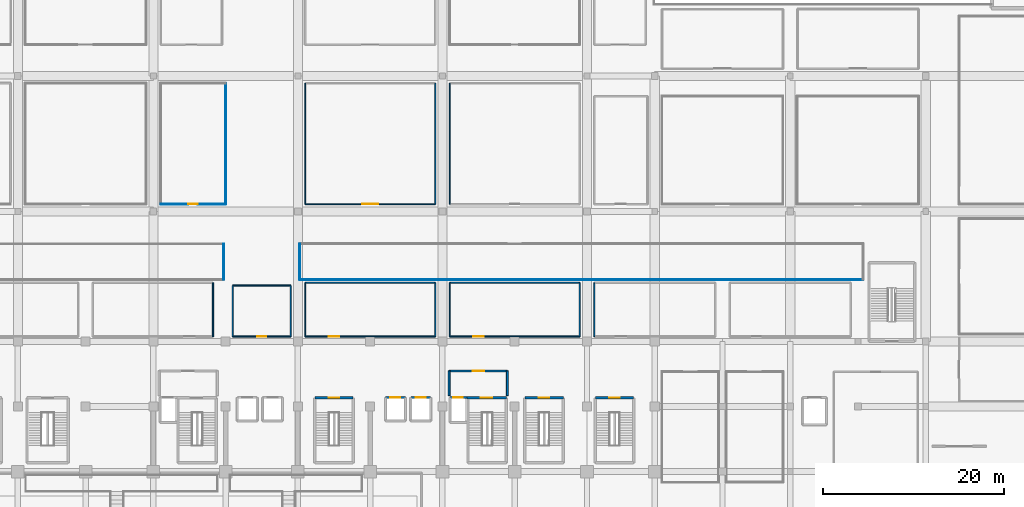
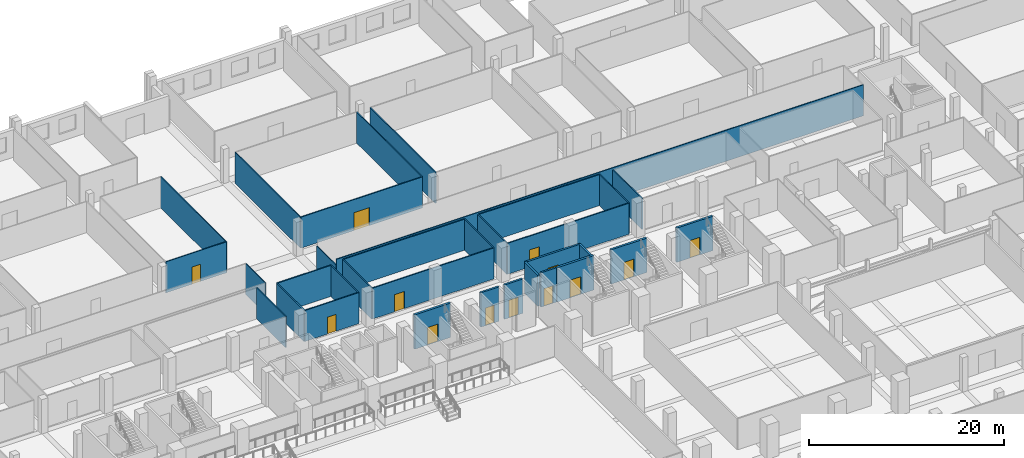
# One storey, part 19 of 33: 33 walls, 13 doors, 13 openings.
"""IFC4 building model written with IfcOpenShell, lengths in metres."""

from ifc_helpers import new_model, si_unit, direction, frame, frame_2d, origin, place, context, subcontext, project, spatial, rectangle, extrude, material, layer, layer_set, type_object, element, fill, save


model = new_model("IFC4")

# Units and contexts
model_context = context("Model", 3, precision=1e-05, world=origin(), true_north=direction((0.0, 1.0)))
body_context = subcontext(model_context, "Body", "Model", "MODEL_VIEW")
ifc_project = project(units=[si_unit("LENGTHUNIT", "METRE"), si_unit("AREAUNIT", "SQUARE_METRE"), si_unit("VOLUMEUNIT", "CUBIC_METRE"), si_unit("PLANEANGLEUNIT", "RADIAN"), si_unit("MASSUNIT", "GRAM", prefix="KILO")], contexts=[model_context])

# Site, building, storey
site_placement = place(None, origin())
site = spatial("IfcSite", under=ifc_project, at=site_placement, CompositionType="ELEMENT")
building_placement = place(site_placement, origin())
building = spatial("IfcBuilding", under=site, at=building_placement, Name="Akrevak Sports Hall", CompositionType="ELEMENT")
storey_placement = place(building_placement, origin())
storey = spatial("IfcBuildingStorey", under=building, at=storey_placement, Name="L00", CompositionType="ELEMENT", Elevation=0.0)

# Wall
ifc_material_1 = material(Name="Sanitary Cubicle Partition", Category="gypsum")
ifc_layer_1 = layer(ifc_material_1, 0.10009765625, Name="Sanitary Cubicle Partition")
ifc_layer_set_1 = layer_set([ifc_layer_1], Name="Sanitary Cubicle Partition")
wall_type_1 = type_object("IfcWallType", Name="ARC-WL-PRT-100", PredefinedType="PARTITIONING", material=ifc_layer_set_1)
wall_1_placement = place(storey_placement, frame((67.800048828125, 76.449951171875, 0.0), z_axis=(0.0, 0.0, 1.0), x_axis=(0.0, 1.0, 0.0)))
element("IfcWall", 1, at=wall_1_placement, inside=storey, type_object=wall_type_1, Name="Interior Partition North Athletes Gear & Kit Storage L00-1 (E)", PredefinedType="PARTITIONING", context=body_context, shape_type="SweptSolid", body=[
    extrude(rectangle(XDim=3.949951171875, YDim=0.10009765625, at=frame_2d((1.97509765625, 0.0))), origin(), (0.0, 0.0, 1.0), 3.8798828125),
])

# Wall, opening, door
ifc_material_2 = material(Name="Lightweight Office Partition", Category="gypsum")
ifc_layer_2 = layer(ifc_material_2, 0.110107421875, Name="Lightweight Office Partition")
ifc_layer_set_2 = layer_set([ifc_layer_2], Name="Lightweight Office Partition")
wall_type_2 = type_object("IfcWallType", Name="ARC-WL-PRT-110", PredefinedType="PARTITIONING", material=ifc_layer_set_2)
wall_2_placement = place(storey_placement, frame((60.800048828125, 84.800048828125, 0.0), z_axis=(0.0, 0.0, 1.0), x_axis=(1.0, 0.0, 0.0)))
wall_2 = element("IfcWall", 2, at=wall_2_placement, inside=storey, type_object=wall_type_2, Name="Interior Partition Sports Clinic Recovery & Physiotherapy Room L00-6 (S)", PredefinedType="PARTITIONING", context=body_context, shape_type="SweptSolid", body=[
    extrude(rectangle(XDim=7.199951171875, YDim=0.110107421875, at=frame_2d((3.60009765625, 0.0))), origin(), (0.0, 0.0, 1.0), 3.8798828125),
])
opening_1_placement = place(wall_2_placement, frame((3.074951171875, 0.0, 0.0)))
opening_1 = element("IfcOpeningElement", 3, at=opening_1_placement, cuts=wall_2, Name="Opening ID-05", PredefinedType="OPENING", context=body_context, shape_type="SweptSolid", body=[
    extrude(rectangle(XDim=1.050048828125, YDim=2.14990234375, at=frame_2d((0.52490234375, 1.074951171875))), frame((0.0, 0.06689453125, 0.0), z_axis=(0.0, -1.0, 0.0), x_axis=(1.0, 0.0, 0.0)), (0.0, 0.0, 1.0), 0.134033203125),
])
ifc_material_3 = material(Name="Hardwood Oak Acoustic Leaf", Category="wood")
door_type_1 = type_object("IfcDoorType", Name="ARC-DR-OFF-105x215", OperationType="NOTDEFINED", PredefinedType="DOOR", material=ifc_material_3)
door_1_placement = place(opening_1_placement, origin())
door_1 = element("IfcDoor", 4, at=door_1_placement, inside=storey, type_object=door_type_1, Name="Door to Sports Clinic Recovery & Physiotherapy Room L00-6", OperationType="SINGLE_SWING_LEFT", OverallHeight=2.14990234375, OverallWidth=1.050048828125, PredefinedType="DOOR", context=body_context, shape_type="SweptSolid", body=[
    extrude(rectangle(XDim=1.050048828125, YDim=2.14990234375, at=frame_2d((0.52490234375, 1.074951171875))), frame((0.0, 0.02490234375, 0.0), z_axis=(0.0, -1.0, 0.0), x_axis=(1.0, 0.0, 0.0)), (0.0, 0.0, 1.0), 0.050048828125),
])
fill(opening_1, door_1)

# Walls
wall_3_placement = place(storey_placement, frame((68.0, 84.800048828125, 0.0), z_axis=(0.0, 0.0, 1.0), x_axis=(0.0, 1.0, 0.0)))
element("IfcWall", 5, at=wall_3_placement, inside=storey, type_object=wall_type_2, Name="Interior Partition Sports Clinic Recovery & Physiotherapy Room L00-6 (E)", PredefinedType="PARTITIONING", context=body_context, shape_type="SweptSolid", body=[
    extrude(rectangle(XDim=13.39990234375, YDim=0.110107421875, at=frame_2d((6.699951171875, 0.0))), origin(), (0.0, 0.0, 1.0), 3.8798828125),
])
wall_4_placement = place(storey_placement, frame((76.199951171875, 76.449951171875, 0.0), z_axis=(0.0, 0.0, 1.0), x_axis=(1.0, 0.0, 0.0)))
element("IfcWall", 6, at=wall_4_placement, inside=storey, type_object=wall_type_2, Name="Interior Partition North Athletes Gear & Kit Storage L00-2 (S)", PredefinedType="PARTITIONING", context=body_context, shape_type="SweptSolid", body=[
    extrude(rectangle(XDim=62.400146484375, YDim=0.110107421875, at=frame_2d((31.2001953125, 0.0))), origin(), (0.0, 0.0, 1.0), 3.8798828125),
])
wall_5_placement = place(storey_placement, frame((76.199951171875, 76.449951171875, 0.0), z_axis=(0.0, 0.0, 1.0), x_axis=(0.0, 1.0, 0.0)))
element("IfcWall", 7, at=wall_5_placement, inside=storey, type_object=wall_type_2, Name="Interior Partition North Athletes Gear & Kit Storage L00-2 (W)", PredefinedType="PARTITIONING", context=body_context, shape_type="SweptSolid", body=[
    extrude(rectangle(XDim=3.949951171875, YDim=0.110107421875, at=frame_2d((1.97509765625, 0.0))), origin(), (0.0, 0.0, 1.0), 3.14990234375),
])

# Wall, opening, door
ifc_material_4 = material(Name="Standard Metal Stud Partition", Category="gypsum")
ifc_layer_3 = layer(ifc_material_4, 0.1201171875, Name="Standard Metal Stud Partition")
ifc_layer_set_3 = layer_set([ifc_layer_3], Name="Standard Metal Stud Partition")
wall_type_3 = type_object("IfcWallType", Name="ARC-WL-PRT-120", PredefinedType="PARTITIONING", material=ifc_layer_set_3)
wall_6_placement = place(storey_placement, frame((76.800048828125, 84.800048828125, 0.0), z_axis=(0.0, 0.0, 1.0), x_axis=(1.0, 0.0, 0.0)))
wall_6 = element("IfcWall", 8, at=wall_6_placement, inside=storey, type_object=wall_type_3, Name="Interior Partition Athletic Gear & Equipment Storage L00-7 (S)", PredefinedType="PARTITIONING", context=body_context, shape_type="SweptSolid", body=[
    extrude(rectangle(XDim=14.39990234375, YDim=0.1201171875, at=frame_2d((7.199951171875, 0.0))), origin(), (0.0, 0.0, 1.0), 3.8798828125),
])
opening_2_placement = place(wall_6_placement, frame((6.300048828125, 0.0, 0.0)))
opening_2 = element("IfcOpeningElement", 9, at=opening_2_placement, cuts=wall_6, Name="Opening ID-02", PredefinedType="OPENING", context=body_context, shape_type="SweptSolid", body=[
    extrude(rectangle(XDim=1.800048828125, YDim=2.25, at=frame_2d((0.89990234375, 1.125))), frame((0.0, 0.072021484375, 0.0), z_axis=(0.0, -1.0, 0.0), x_axis=(1.0, 0.0, 0.0)), (0.0, 0.0, 1.0), 0.14404296875),
])
ifc_material_5 = material(Name="Hardwood Oak & Safety Glass", Category="wood")
door_type_2 = type_object("IfcDoorType", Name="ARC-DR-HALL-180x225", OperationType="DOUBLE_DOOR_SINGLE_SWING", PredefinedType="DOOR", material=ifc_material_5)
door_2_placement = place(opening_2_placement, origin())
door_2 = element("IfcDoor", 10, at=door_2_placement, inside=storey, type_object=door_type_2, Name="Door to Athletic Gear & Equipment Storage L00-7", OperationType="DOUBLE_DOOR_SINGLE_SWING", OverallHeight=2.25, OverallWidth=1.800048828125, PredefinedType="DOOR", context=body_context, shape_type="SweptSolid", body=[
    extrude(rectangle(XDim=1.800048828125, YDim=2.25, at=frame_2d((0.89990234375, 1.125))), frame((0.0, 0.02490234375, 0.0), z_axis=(0.0, -1.0, 0.0), x_axis=(1.0, 0.0, 0.0)), (0.0, 0.0, 1.0), 0.050048828125),
])
fill(opening_2, door_2)

# Walls
for number, where, z_axis, x_axis, name in (
    (11, (76.800048828125, 84.800048828125, 0.0), (0.0, 0.0, 1.0), (0.0, 1.0, 0.0), "Interior Partition Athletic Gear & Equipment Storage L00-7 (W)"),
    (12, (91.199951171875, 84.800048828125, 0.0), (0.0, 0.0, 1.0), (0.0, 1.0, 0.0), "Interior Partition Athletic Gear & Equipment Storage L00-7 (E)"),
):
    element("IfcWall", number, at=place(storey_placement, frame(where, z_axis=z_axis, x_axis=x_axis)), inside=storey, type_object=wall_type_3, Name=name, PredefinedType="PARTITIONING", context=body_context, shape_type="SweptSolid", body=[
        extrude(rectangle(XDim=13.39990234375, YDim=0.1201171875, at=frame_2d((6.699951171875, 0.0))), origin(), (0.0, 0.0, 1.0), 3.8798828125),
    ])
ifc_material_6 = material(Name="Acoustic Metal Stud Partition", Category="gypsum")
ifc_layer_4 = layer(ifc_material_6, 0.1298828125, Name="Acoustic Metal Stud Partition")
ifc_layer_set_4 = layer_set([ifc_layer_4], Name="Acoustic Metal Stud Partition")
wall_type_4 = type_object("IfcWallType", Name="ARC-WL-PRT-130", PredefinedType="PARTITIONING", material=ifc_layer_set_4)
wall_7_placement = place(storey_placement, frame((66.60009765625, 70.14990234375, 0.0), z_axis=(0.0, 0.0, 1.0), x_axis=(0.0, 1.0, 0.0)))
element("IfcWall", 13, at=wall_7_placement, inside=storey, type_object=wall_type_4, Name="Interior Partition Changing Room 3 - Home Team B (E)", PredefinedType="PARTITIONING", context=body_context, shape_type="SweptSolid", body=[
    extrude(rectangle(XDim=5.9501953125, YDim=0.1298828125, at=frame_2d((2.97509765625, 0.0))), origin(), (0.0, 0.0, 1.0), 3.8798828125),
])

# Wall, opening, door
wall_8_placement = place(storey_placement, frame((76.800048828125, 70.14990234375, 0.0), z_axis=(0.0, 0.0, 1.0), x_axis=(1.0, 0.0, 0.0)))
wall_8 = element("IfcWall", 14, at=wall_8_placement, inside=storey, type_object=wall_type_4, Name="Interior Partition Changing Room 4 - Away Team B (S)", PredefinedType="PARTITIONING", context=body_context, shape_type="SweptSolid", body=[
    extrude(rectangle(XDim=14.39990234375, YDim=0.1298828125, at=frame_2d((7.199951171875, 0.0))), origin(), (0.0, 0.0, 1.0), 3.8798828125),
])
opening_3_placement = place(wall_8_placement, frame((2.625, 0.0, 0.0)))
opening_3 = element("IfcOpeningElement", 15, at=opening_3_placement, cuts=wall_8, Name="Opening ID-07", PredefinedType="OPENING", context=body_context, shape_type="SweptSolid", body=[
    extrude(rectangle(XDim=1.14990234375, YDim=2.14990234375, at=frame_2d((0.574951171875, 1.074951171875))), frame((0.0, 0.076904296875, 0.0), z_axis=(0.0, -1.0, 0.0), x_axis=(1.0, 0.0, 0.0)), (0.0, 0.0, 1.0), 0.15380859375),
])
ifc_material_7 = material(Name="High-Pressure Laminate & Aluminium", Category="aluminium")
door_type_3 = type_object("IfcDoorType", Name="ARC-DR-CHG-115x215", OperationType="NOTDEFINED", PredefinedType="DOOR", material=ifc_material_7)
door_3_placement = place(opening_3_placement, origin())
door_3 = element("IfcDoor", 16, at=door_3_placement, inside=storey, type_object=door_type_3, Name="Door to Changing Room 4 - Away Team B", OperationType="SINGLE_SWING_LEFT", OverallHeight=2.14990234375, OverallWidth=1.14990234375, PredefinedType="DOOR", context=body_context, shape_type="SweptSolid", body=[
    extrude(rectangle(XDim=1.14990234375, YDim=2.14990234375, at=frame_2d((0.574951171875, 1.074951171875))), frame((0.0, 0.02490234375, 0.0), z_axis=(0.0, -1.0, 0.0), x_axis=(1.0, 0.0, 0.0)), (0.0, 0.0, 1.0), 0.050048828125),
])
fill(opening_3, door_3)

# Walls
wall_9_placement = place(storey_placement, frame((76.800048828125, 76.10009765625, 0.0), z_axis=(0.0, 0.0, 1.0), x_axis=(1.0, 0.0, 0.0)))
element("IfcWall", 17, at=wall_9_placement, inside=storey, type_object=wall_type_4, Name="Interior Partition Changing Room 4 - Away Team B (N)", PredefinedType="PARTITIONING", context=body_context, shape_type="SweptSolid", body=[
    extrude(rectangle(XDim=14.39990234375, YDim=0.1298828125, at=frame_2d((7.199951171875, 0.0))), origin(), (0.0, 0.0, 1.0), 3.8798828125),
])
for number, where, z_axis, x_axis, name in (
    (18, (76.800048828125, 70.14990234375, 0.0), (0.0, 0.0, 1.0), (0.0, 1.0, 0.0), "Interior Partition Changing Room 4 - Away Team B (W)"),
    (19, (91.199951171875, 70.14990234375, 0.0), (0.0, 0.0, 1.0), (0.0, 1.0, 0.0), "Interior Partition Changing Room 4 - Away Team B (E)"),
):
    element("IfcWall", number, at=place(storey_placement, frame(where, z_axis=z_axis, x_axis=x_axis)), inside=storey, type_object=wall_type_4, Name=name, PredefinedType="PARTITIONING", context=body_context, shape_type="SweptSolid", body=[
        extrude(rectangle(XDim=5.9501953125, YDim=0.1298828125, at=frame_2d((2.97509765625, 0.0))), origin(), (0.0, 0.0, 1.0), 3.8798828125),
    ])

# Wall, opening, door
wall_10_placement = place(storey_placement, frame((92.800048828125, 70.14990234375, 0.0), z_axis=(0.0, 0.0, 1.0), x_axis=(1.0, 0.0, 0.0)))
wall_10 = element("IfcWall", 20, at=wall_10_placement, inside=storey, type_object=wall_type_4, Name="Interior Partition Changing Room 5 - Match Officials (S)", PredefinedType="PARTITIONING", context=body_context, shape_type="SweptSolid", body=[
    extrude(rectangle(XDim=14.39990234375, YDim=0.1298828125, at=frame_2d((7.199951171875, 0.0))), origin(), (0.0, 0.0, 1.0), 3.8798828125),
])
opening_4_placement = place(wall_10_placement, frame((2.625, 0.0, 0.0)))
opening_4 = element("IfcOpeningElement", 21, at=opening_4_placement, cuts=wall_10, Name="Opening ID-07", PredefinedType="OPENING", context=body_context, shape_type="SweptSolid", body=[
    extrude(rectangle(XDim=1.14990234375, YDim=2.14990234375, at=frame_2d((0.574951171875, 1.074951171875))), frame((0.0, 0.076904296875, 0.0), z_axis=(0.0, -1.0, 0.0), x_axis=(1.0, 0.0, 0.0)), (0.0, 0.0, 1.0), 0.15380859375),
])
door_4_placement = place(opening_4_placement, frame((1.14990234375, 0.0, 0.0), z_axis=(0.0, 0.0, 1.0), x_axis=(-1.0, 0.0, 0.0)))
door_4 = element("IfcDoor", 22, at=door_4_placement, inside=storey, type_object=door_type_3, Name="Door to Changing Room 5 - Match Officials", OperationType="SINGLE_SWING_RIGHT", OverallHeight=2.14990234375, OverallWidth=1.14990234375, PredefinedType="DOOR", context=body_context, shape_type="SweptSolid", body=[
    extrude(rectangle(XDim=1.14990234375, YDim=2.14990234375, at=frame_2d((0.574951171875, 1.074951171875))), frame((0.0, 0.02490234375, 0.0), z_axis=(0.0, -1.0, 0.0), x_axis=(1.0, 0.0, 0.0)), (0.0, 0.0, 1.0), 0.050048828125),
])
fill(opening_4, door_4)

# Walls
wall_11_placement = place(storey_placement, frame((92.800048828125, 76.10009765625, 0.0), z_axis=(0.0, 0.0, 1.0), x_axis=(1.0, 0.0, 0.0)))
element("IfcWall", 23, at=wall_11_placement, inside=storey, type_object=wall_type_4, Name="Interior Partition Changing Room 5 - Match Officials (N)", PredefinedType="PARTITIONING", context=body_context, shape_type="SweptSolid", body=[
    extrude(rectangle(XDim=14.39990234375, YDim=0.1298828125, at=frame_2d((7.199951171875, 0.0))), origin(), (0.0, 0.0, 1.0), 3.8798828125),
])
for number, where, z_axis, x_axis, name in (
    (24, (92.800048828125, 70.14990234375, 0.0), (0.0, 0.0, 1.0), (0.0, 1.0, 0.0), "Interior Partition Changing Room 5 - Match Officials (W)"),
    (25, (107.199951171875, 70.14990234375, 0.0), (0.0, 0.0, 1.0), (0.0, 1.0, 0.0), "Interior Partition Changing Room 5 - Match Officials (E)"),
    (26, (108.800048828125, 70.14990234375, 0.0), (0.0, 0.0, 1.0), (0.0, 1.0, 0.0), "Interior Partition Changing Room 6 - Climbing Athletes (W)"),
):
    element("IfcWall", number, at=place(storey_placement, frame(where, z_axis=z_axis, x_axis=x_axis)), inside=storey, type_object=wall_type_4, Name=name, PredefinedType="PARTITIONING", context=body_context, shape_type="SweptSolid", body=[
        extrude(rectangle(XDim=5.9501953125, YDim=0.1298828125, at=frame_2d((2.97509765625, 0.0))), origin(), (0.0, 0.0, 1.0), 3.8798828125),
    ])
wall_12_placement = place(storey_placement, frame((92.800048828125, 84.800048828125, 0.0), z_axis=(0.0, 0.0, 1.0), x_axis=(0.0, 1.0, 0.0)))
element("IfcWall", 27, at=wall_12_placement, inside=storey, type_object=wall_type_4, Name="Interior Partition Sports Federation Training Office L00-8 (W)", PredefinedType="PARTITIONING", context=body_context, shape_type="SweptSolid", body=[
    extrude(rectangle(XDim=13.39990234375, YDim=0.1298828125, at=frame_2d((6.699951171875, 0.0))), origin(), (0.0, 0.0, 1.0), 3.8798828125),
])

# Wall, opening, door
ifc_material_8 = material(Name="Moisture-Resistant Wet-Area Partition", Category="gypsum")
ifc_layer_5 = layer(ifc_material_8, 0.139892578125, Name="Moisture-Resistant Wet-Area Partition")
ifc_layer_set_5 = layer_set([ifc_layer_5], Name="Moisture-Resistant Wet-Area Partition")
wall_type_5 = type_object("IfcWallType", Name="ARC-WL-PRT-140", PredefinedType="PARTITIONING", material=ifc_layer_set_5)
wall_13_placement = place(storey_placement, frame((68.800048828125, 70.14990234375, 0.0), z_axis=(0.0, 0.0, 1.0), x_axis=(1.0, 0.0, 0.0)))
wall_13 = element("IfcWall", 28, at=wall_13_placement, inside=storey, type_object=wall_type_5, Name="Interior Partition Athletes Accessible WC L00 (S)", PredefinedType="PARTITIONING", context=body_context, shape_type="SweptSolid", body=[
    extrude(rectangle(XDim=6.39990234375, YDim=0.139892578125, at=frame_2d((3.199951171875, 0.0))), origin(), (0.0, 0.0, 1.0), 3.8798828125),
])
opening_5_placement = place(wall_13_placement, frame((2.68994140625, 0.0, 0.0)))
opening_5 = element("IfcOpeningElement", 29, at=opening_5_placement, cuts=wall_13, Name="Opening ID-09", PredefinedType="OPENING", context=body_context, shape_type="SweptSolid", body=[
    extrude(rectangle(XDim=1.02001953125, YDim=2.10009765625, at=frame_2d((0.510009765625, 1.050048828125))), frame((0.0, 0.08203125, 0.0), z_axis=(0.0, -1.0, 0.0), x_axis=(1.0, 0.0, 0.0)), (0.0, 0.0, 1.0), 0.163818359375),
])
door_type_4 = type_object("IfcDoorType", Name="ARC-DR-AWC-102x210", OperationType="NOTDEFINED", PredefinedType="DOOR", material=ifc_material_7)
door_5_placement = place(opening_5_placement, origin())
door_5 = element("IfcDoor", 30, at=door_5_placement, inside=storey, type_object=door_type_4, Name="Door to Athletes Accessible WC L00", OperationType="SINGLE_SWING_LEFT", OverallHeight=2.10009765625, OverallWidth=1.02001953125, PredefinedType="DOOR", context=body_context, shape_type="SweptSolid", body=[
    extrude(rectangle(XDim=1.02001953125, YDim=2.10009765625, at=frame_2d((0.510009765625, 1.050048828125))), frame((0.0, 0.02490234375, 0.0), z_axis=(0.0, -1.0, 0.0), x_axis=(1.0, 0.0, 0.0)), (0.0, 0.0, 1.0), 0.050048828125),
])
fill(opening_5, door_5)

# Walls
wall_14_placement = place(storey_placement, frame((68.800048828125, 75.800048828125, 0.0), z_axis=(0.0, 0.0, 1.0), x_axis=(1.0, 0.0, 0.0)))
element("IfcWall", 31, at=wall_14_placement, inside=storey, type_object=wall_type_5, Name="Interior Partition Athletes Accessible WC L00 (N)", PredefinedType="PARTITIONING", context=body_context, shape_type="SweptSolid", body=[
    extrude(rectangle(XDim=6.39990234375, YDim=0.139892578125, at=frame_2d((3.199951171875, 0.0))), origin(), (0.0, 0.0, 1.0), 3.8798828125),
])
for number, where, z_axis, x_axis, name in (
    (32, (68.800048828125, 70.14990234375, 0.0), (0.0, 0.0, 1.0), (0.0, 1.0, 0.0), "Interior Partition Athletes Accessible WC L00 (W)"),
    (33, (75.199951171875, 70.14990234375, 0.0), (0.0, 0.0, 1.0), (0.0, 1.0, 0.0), "Interior Partition Athletes Accessible WC L00 (E)"),
):
    element("IfcWall", number, at=place(storey_placement, frame(where, z_axis=z_axis, x_axis=x_axis)), inside=storey, type_object=wall_type_5, Name=name, PredefinedType="PARTITIONING", context=body_context, shape_type="SweptSolid", body=[
        extrude(rectangle(XDim=5.650146484375, YDim=0.139892578125, at=frame_2d((2.8251953125, 0.0))), origin(), (0.0, 0.0, 1.0), 3.8798828125),
    ])

# Wall, opening, door
ifc_material_9 = material(Name="Concrete C40/50", Category="concrete")
ifc_layer_6 = layer(ifc_material_9, 0.219970703125, Name="Concrete C40/50")
ifc_layer_set_6 = layer_set([ifc_layer_6], Name="Concrete C40/50")
wall_type_6 = type_object("IfcWallType", Name="ARC-WL-PRT-220", PredefinedType="PARTITIONING", material=ifc_layer_set_6)
wall_15_placement = place(storey_placement, frame((92.75, 66.35009765625, 0.0), z_axis=(0.0, 0.0, 1.0), x_axis=(1.0, 0.0, 0.0)))
wall_15 = element("IfcWall", 34, at=wall_15_placement, inside=storey, type_object=wall_type_6, Name="Interior Partition Firefighting Lobby East L00 (N)", PredefinedType="PARTITIONING", context=body_context, shape_type="SweptSolid", body=[
    extrude(rectangle(XDim=6.449951171875, YDim=0.219970703125, at=frame_2d((3.22509765625, 0.0))), origin(), (0.0, 0.0, 1.0), 3.8798828125),
])
opening_6_placement = place(wall_15_placement, frame((2.625, 0.0, 0.0)))
opening_6 = element("IfcOpeningElement", 35, at=opening_6_placement, cuts=wall_15, Name="Opening FD-01", PredefinedType="OPENING", context=body_context, shape_type="SweptSolid", body=[
    extrude(rectangle(XDim=1.25, YDim=2.199951171875, at=frame_2d((0.625, 1.10009765625))), frame((0.0, 0.1220703125, 0.0), z_axis=(0.0, -1.0, 0.0), x_axis=(1.0, 0.0, 0.0)), (0.0, 0.0, 1.0), 0.243896484375),
])
ifc_material_10 = material(Name="Fire-Rated Galvanized Door Steel", Category="steel")
door_type_5 = type_object("IfcDoorType", Name="ARC-DR-FFL-125x220", OperationType="NOTDEFINED", PredefinedType="DOOR", material=ifc_material_10)
door_6_placement = place(opening_6_placement, origin())
door_6 = element("IfcDoor", 36, at=door_6_placement, inside=storey, type_object=door_type_5, Name="Door to Firefighting Lobby East L00", OperationType="SINGLE_SWING_RIGHT", OverallHeight=2.199951171875, OverallWidth=1.25, PredefinedType="DOOR", context=body_context, shape_type="SweptSolid", body=[
    extrude(rectangle(XDim=1.25, YDim=2.199951171875, at=frame_2d((0.625, 1.10009765625))), frame((0.0, 0.02490234375, 0.0), z_axis=(0.0, -1.0, 0.0), x_axis=(1.0, 0.0, 0.0)), (0.0, 0.0, 1.0), 0.050048828125),
])
fill(opening_6, door_6)

# Walls
for number, where, z_axis, x_axis, name in (
    (37, (92.75, 63.60009765625, 0.0), (0.0, 0.0, 1.0), (0.0, 1.0, 0.0), "Interior Partition Firefighting Lobby East L00 (W)"),
    (38, (99.199951171875, 63.60009765625, 0.0), (0.0, 0.0, 1.0), (0.0, 1.0, 0.0), "Interior Partition Firefighting Lobby East L00 (E)"),
):
    element("IfcWall", number, at=place(storey_placement, frame(where, z_axis=z_axis, x_axis=x_axis)), inside=storey, type_object=wall_type_6, Name=name, PredefinedType="PARTITIONING", context=body_context, shape_type="SweptSolid", body=[
        extrude(rectangle(XDim=2.75, YDim=0.219970703125, at=frame_2d((1.375, 0.0))), origin(), (0.0, 0.0, 1.0), 3.8798828125),
    ])

# Wall, opening, door
ifc_material_11 = material(Name="Concrete C50/60", Category="concrete")
ifc_layer_7 = layer(ifc_material_11, 0.219970703125, Name="Concrete C50/60")
ifc_layer_set_7 = layer_set([ifc_layer_7], Name="Concrete C50/60")
wall_type_7 = type_object("IfcWallType", Name="ARC-WL-SHAFT-220", PredefinedType="SHEAR", material=ifc_layer_set_7)
wall_16_placement = place(storey_placement, frame((94.699951171875, 63.389892578125, 0.0), z_axis=(0.0, 0.0, 1.0), x_axis=(-1.0, 0.0, 0.0)))
wall_16 = element("IfcWall", 39, at=wall_16_placement, inside=storey, type_object=wall_type_7, Name="Lift Shaft LF-FF2 Wall N (L00)", PredefinedType="SHEAR", context=body_context, shape_type="SweptSolid", body=[
    extrude(rectangle(XDim=1.83984375, YDim=0.219970703125, at=frame_2d((0.919921875, 0.0))), origin(), (0.0, 0.0, 1.0), 4.300048828125),
])
opening_7_placement = place(wall_16_placement, frame((0.425048828125, 0.0, 0.0)))
opening_7 = element("IfcOpeningElement", 40, at=opening_7_placement, cuts=wall_16, Name="Opening LD-01", PredefinedType="OPENING", context=body_context, shape_type="SweptSolid", body=[
    extrude(rectangle(XDim=1.10009765625, YDim=2.199951171875, at=frame_2d((0.550048828125, 1.10009765625))), frame((0.0, 0.1220703125, 0.0), z_axis=(0.0, -1.0, 0.0), x_axis=(1.0, 0.0, 0.0)), (0.0, 0.0, 1.0), 0.243896484375),
])
ifc_material_12 = material(Name="Brushed Stainless Steel 304", Category="steel")
door_type_6 = type_object("IfcDoorType", Name="ARC-DR-LD-110x220", OperationType="SLIDING_TO_LEFT", PredefinedType="DOOR", material=ifc_material_12)
door_7_placement = place(opening_7_placement, origin())
door_7 = element("IfcDoor", 41, at=door_7_placement, inside=storey, type_object=door_type_6, Name="Lift LF-FF2 Sliding Landing Door (L00)", OperationType="SLIDING_TO_LEFT", OverallHeight=2.199951171875, OverallWidth=1.10009765625, PredefinedType="DOOR", context=body_context, shape_type="SweptSolid", body=[
    extrude(rectangle(XDim=1.10009765625, YDim=2.199951171875, at=frame_2d((0.550048828125, 1.10009765625))), frame((0.0, 0.02490234375, 0.0), z_axis=(0.0, -1.0, 0.0), x_axis=(1.0, 0.0, 0.0)), (0.0, 0.0, 1.0), 0.050048828125),
])
fill(opening_7, door_7)

wall_17_placement = place(storey_placement, frame((87.889892578125, 63.389892578125, 0.0), z_axis=(0.0, 0.0, 1.0), x_axis=(-1.0, 0.0, 0.0)))
wall_17 = element("IfcWall", 42, at=wall_17_placement, inside=storey, type_object=wall_type_7, Name="Lift Shaft LF-P3 Wall N (L00)", PredefinedType="SHEAR", context=body_context, shape_type="SweptSolid", body=[
    extrude(rectangle(XDim=2.179931640625, YDim=0.219970703125, at=frame_2d((1.08984375, 0.0))), origin(), (0.0, 0.0, 1.0), 4.300048828125),
])
opening_8_placement = place(wall_17_placement, frame((0.5400390625, 0.0, 0.0)))
opening_8 = element("IfcOpeningElement", 43, at=opening_8_placement, cuts=wall_17, Name="Opening LD-01", PredefinedType="OPENING", context=body_context, shape_type="SweptSolid", body=[
    extrude(rectangle(XDim=1.10009765625, YDim=2.199951171875, at=frame_2d((0.550048828125, 1.10009765625))), frame((0.0, 0.1220703125, 0.0), z_axis=(0.0, -1.0, 0.0), x_axis=(1.0, 0.0, 0.0)), (0.0, 0.0, 1.0), 0.243896484375),
])
door_8_placement = place(opening_8_placement, origin())
door_8 = element("IfcDoor", 44, at=door_8_placement, inside=storey, type_object=door_type_6, Name="Lift LF-P3 Sliding Landing Door (L00)", OperationType="SLIDING_TO_LEFT", OverallHeight=2.199951171875, OverallWidth=1.10009765625, PredefinedType="DOOR", context=body_context, shape_type="SweptSolid", body=[
    extrude(rectangle(XDim=1.10009765625, YDim=2.199951171875, at=frame_2d((0.550048828125, 1.10009765625))), frame((0.0, 0.02490234375, 0.0), z_axis=(0.0, -1.0, 0.0), x_axis=(1.0, 0.0, 0.0)), (0.0, 0.0, 1.0), 0.050048828125),
])
fill(opening_8, door_8)

wall_18_placement = place(storey_placement, frame((90.68994140625, 63.389892578125, 0.0), z_axis=(0.0, 0.0, 1.0), x_axis=(-1.0, 0.0, 0.0)))
wall_18 = element("IfcWall", 45, at=wall_18_placement, inside=storey, type_object=wall_type_7, Name="Lift Shaft LF-P4 Wall N (L00)", PredefinedType="SHEAR", context=body_context, shape_type="SweptSolid", body=[
    extrude(rectangle(XDim=2.179931640625, YDim=0.219970703125, at=frame_2d((1.08984375, 0.0))), origin(), (0.0, 0.0, 1.0), 4.300048828125),
])
opening_9_placement = place(wall_18_placement, frame((0.5400390625, 0.0, 0.0)))
opening_9 = element("IfcOpeningElement", 46, at=opening_9_placement, cuts=wall_18, Name="Opening LD-01", PredefinedType="OPENING", context=body_context, shape_type="SweptSolid", body=[
    extrude(rectangle(XDim=1.10009765625, YDim=2.199951171875, at=frame_2d((0.550048828125, 1.10009765625))), frame((0.0, 0.1220703125, 0.0), z_axis=(0.0, -1.0, 0.0), x_axis=(1.0, 0.0, 0.0)), (0.0, 0.0, 1.0), 0.243896484375),
])
door_9_placement = place(opening_9_placement, origin())
door_9 = element("IfcDoor", 47, at=door_9_placement, inside=storey, type_object=door_type_6, Name="Lift LF-P4 Sliding Landing Door (L00)", OperationType="SLIDING_TO_LEFT", OverallHeight=2.199951171875, OverallWidth=1.10009765625, PredefinedType="DOOR", context=body_context, shape_type="SweptSolid", body=[
    extrude(rectangle(XDim=1.10009765625, YDim=2.199951171875, at=frame_2d((0.550048828125, 1.10009765625))), frame((0.0, 0.02490234375, 0.0), z_axis=(0.0, -1.0, 0.0), x_axis=(1.0, 0.0, 0.0)), (0.0, 0.0, 1.0), 0.050048828125),
])
fill(opening_9, door_9)

ifc_layer_8 = layer(ifc_material_11, 0.25, Name="Concrete C50/60")
ifc_layer_set_8 = layer_set([ifc_layer_8], Name="Concrete C50/60")
wall_type_8 = type_object("IfcWallType", Name="STR-WL-STAIR-250", PredefinedType="SHEAR", material=ifc_layer_set_8)
wall_19_placement = place(storey_placement, frame((99.074951171875, 63.375, 0.0), z_axis=(0.0, 0.0, 1.0), x_axis=(-1.0, 0.0, 0.0)))
wall_19 = element("IfcWall", 48, at=wall_19_placement, inside=storey, type_object=wall_type_8, Name="Stair Core ST2 Shear Wall N (L00)", PredefinedType="SHEAR", context=body_context, shape_type="SweptSolid", body=[
    extrude(rectangle(XDim=4.375, YDim=0.25, at=frame_2d((2.1875, 0.0))), origin(), (0.0, 0.0, 1.0), 4.300048828125),
])
opening_10_placement = place(wall_19_placement, frame((1.53759765625, 0.0, 0.0)))
opening_10 = element("IfcOpeningElement", 49, at=opening_10_placement, cuts=wall_19, Name="Opening SD-01", PredefinedType="OPENING", context=body_context, shape_type="SweptSolid", body=[
    extrude(rectangle(XDim=1.300048828125, YDim=2.199951171875, at=frame_2d((0.64990234375, 1.10009765625))), frame((0.0, 0.136962890625, 0.0), z_axis=(0.0, -1.0, 0.0), x_axis=(1.0, 0.0, 0.0)), (0.0, 0.0, 1.0), 0.27392578125),
])
door_type_7 = type_object("IfcDoorType", Name="ARC-DR-STAIR-130x220", OperationType="NOTDEFINED", PredefinedType="DOOR", material=ifc_material_10)
door_10_placement = place(opening_10_placement, frame((1.300048828125, 0.0, 0.0), z_axis=(0.0, 0.0, 1.0), x_axis=(-1.0, 0.0, 0.0)))
door_10 = element("IfcDoor", 50, at=door_10_placement, inside=storey, type_object=door_type_7, Name="Exit Stair ST2 Door (L00)", OperationType="SINGLE_SWING_LEFT", OverallHeight=2.199951171875, OverallWidth=1.300048828125, PredefinedType="DOOR", context=body_context, shape_type="SweptSolid", body=[
    extrude(rectangle(XDim=1.300048828125, YDim=2.199951171875, at=frame_2d((0.64990234375, 1.10009765625))), frame((0.0, 0.02490234375, 0.0), z_axis=(0.0, -1.0, 0.0), x_axis=(1.0, 0.0, 0.0)), (0.0, 0.0, 1.0), 0.050048828125),
])
fill(opening_10, door_10)

wall_20_placement = place(storey_placement, frame((82.125, 63.375, 0.0), z_axis=(0.0, 0.0, 1.0), x_axis=(-1.0, 0.0, 0.0)))
wall_20 = element("IfcWall", 51, at=wall_20_placement, inside=storey, type_object=wall_type_8, Name="Stair Core ST3 Shear Wall N (L00)", PredefinedType="SHEAR", context=body_context, shape_type="SweptSolid", body=[
    extrude(rectangle(XDim=4.25, YDim=0.25, at=frame_2d((2.125, 0.0))), origin(), (0.0, 0.0, 1.0), 4.300048828125),
])
opening_11_placement = place(wall_20_placement, frame((1.52490234375, 0.0, 0.0)))
opening_11 = element("IfcOpeningElement", 52, at=opening_11_placement, cuts=wall_20, Name="Opening SD-02", PredefinedType="OPENING", context=body_context, shape_type="SweptSolid", body=[
    extrude(rectangle(XDim=1.199951171875, YDim=2.199951171875, at=frame_2d((0.60009765625, 1.10009765625))), frame((0.0, 0.136962890625, 0.0), z_axis=(0.0, -1.0, 0.0), x_axis=(1.0, 0.0, 0.0)), (0.0, 0.0, 1.0), 0.27392578125),
])
door_type_8 = type_object("IfcDoorType", Name="ARC-DR-STAIR-120x220", OperationType="NOTDEFINED", PredefinedType="DOOR", material=ifc_material_10)
door_11_placement = place(opening_11_placement, frame((1.199951171875, 0.0, 0.0), z_axis=(0.0, 0.0, 1.0), x_axis=(-1.0, 0.0, 0.0)))
door_11 = element("IfcDoor", 53, at=door_11_placement, inside=storey, type_object=door_type_8, Name="Exit Stair ST3 Door (L00)", OperationType="SINGLE_SWING_RIGHT", OverallHeight=2.199951171875, OverallWidth=1.199951171875, PredefinedType="DOOR", context=body_context, shape_type="SweptSolid", body=[
    extrude(rectangle(XDim=1.199951171875, YDim=2.199951171875, at=frame_2d((0.60009765625, 1.10009765625))), frame((0.0, 0.02490234375, 0.0), z_axis=(0.0, -1.0, 0.0), x_axis=(1.0, 0.0, 0.0)), (0.0, 0.0, 1.0), 0.050048828125),
])
fill(opening_11, door_11)

wall_21_placement = place(storey_placement, frame((105.375, 63.375, 0.0), z_axis=(0.0, 0.0, 1.0), x_axis=(-1.0, 0.0, 0.0)))
wall_21 = element("IfcWall", 54, at=wall_21_placement, inside=storey, type_object=wall_type_8, Name="Stair Core ST10 Shear Wall N (L00)", PredefinedType="SHEAR", context=body_context, shape_type="SweptSolid", body=[
    extrude(rectangle(XDim=4.25, YDim=0.25, at=frame_2d((2.125, 0.0))), origin(), (0.0, 0.0, 1.0), 4.300048828125),
])
opening_12_placement = place(wall_21_placement, frame((1.52490234375, 0.0, 0.0)))
opening_12 = element("IfcOpeningElement", 55, at=opening_12_placement, cuts=wall_21, Name="Opening SD-02", PredefinedType="OPENING", context=body_context, shape_type="SweptSolid", body=[
    extrude(rectangle(XDim=1.199951171875, YDim=2.199951171875, at=frame_2d((0.60009765625, 1.10009765625))), frame((0.0, 0.136962890625, 0.0), z_axis=(0.0, -1.0, 0.0), x_axis=(1.0, 0.0, 0.0)), (0.0, 0.0, 1.0), 0.27392578125),
])
door_12_placement = place(opening_12_placement, frame((1.199951171875, 0.0, 0.0), z_axis=(0.0, 0.0, 1.0), x_axis=(-1.0, 0.0, 0.0)))
door_12 = element("IfcDoor", 56, at=door_12_placement, inside=storey, type_object=door_type_8, Name="Exit Stair ST10 Door (L00)", OperationType="SINGLE_SWING_LEFT", OverallHeight=2.199951171875, OverallWidth=1.199951171875, PredefinedType="DOOR", context=body_context, shape_type="SweptSolid", body=[
    extrude(rectangle(XDim=1.199951171875, YDim=2.199951171875, at=frame_2d((0.60009765625, 1.10009765625))), frame((0.0, 0.02490234375, 0.0), z_axis=(0.0, -1.0, 0.0), x_axis=(1.0, 0.0, 0.0)), (0.0, 0.0, 1.0), 0.050048828125),
])
fill(opening_12, door_12)

wall_22_placement = place(storey_placement, frame((113.175048828125, 63.375, 0.0), z_axis=(0.0, 0.0, 1.0), x_axis=(-1.0, 0.0, 0.0)))
wall_22 = element("IfcWall", 57, at=wall_22_placement, inside=storey, type_object=wall_type_8, Name="Stair Core ST11 Shear Wall N (L00)", PredefinedType="SHEAR", context=body_context, shape_type="SweptSolid", body=[
    extrude(rectangle(XDim=4.25, YDim=0.25, at=frame_2d((2.125, 0.0))), origin(), (0.0, 0.0, 1.0), 4.300048828125),
])
opening_13_placement = place(wall_22_placement, frame((1.52490234375, 0.0, 0.0)))
opening_13 = element("IfcOpeningElement", 58, at=opening_13_placement, cuts=wall_22, Name="Opening SD-02", PredefinedType="OPENING", context=body_context, shape_type="SweptSolid", body=[
    extrude(rectangle(XDim=1.199951171875, YDim=2.199951171875, at=frame_2d((0.60009765625, 1.10009765625))), frame((0.0, 0.136962890625, 0.0), z_axis=(0.0, -1.0, 0.0), x_axis=(1.0, 0.0, 0.0)), (0.0, 0.0, 1.0), 0.27392578125),
])
door_13_placement = place(opening_13_placement, frame((1.199951171875, 0.0, 0.0), z_axis=(0.0, 0.0, 1.0), x_axis=(-1.0, 0.0, 0.0)))
door_13 = element("IfcDoor", 59, at=door_13_placement, inside=storey, type_object=door_type_8, Name="Exit Stair ST11 Door (L00)", OperationType="SINGLE_SWING_RIGHT", OverallHeight=2.199951171875, OverallWidth=1.199951171875, PredefinedType="DOOR", context=body_context, shape_type="SweptSolid", body=[
    extrude(rectangle(XDim=1.199951171875, YDim=2.199951171875, at=frame_2d((0.60009765625, 1.10009765625))), frame((0.0, 0.02490234375, 0.0), z_axis=(0.0, -1.0, 0.0), x_axis=(1.0, 0.0, 0.0)), (0.0, 0.0, 1.0), 0.050048828125),
])
fill(opening_13, door_13)

save(model, "model.ifc")
